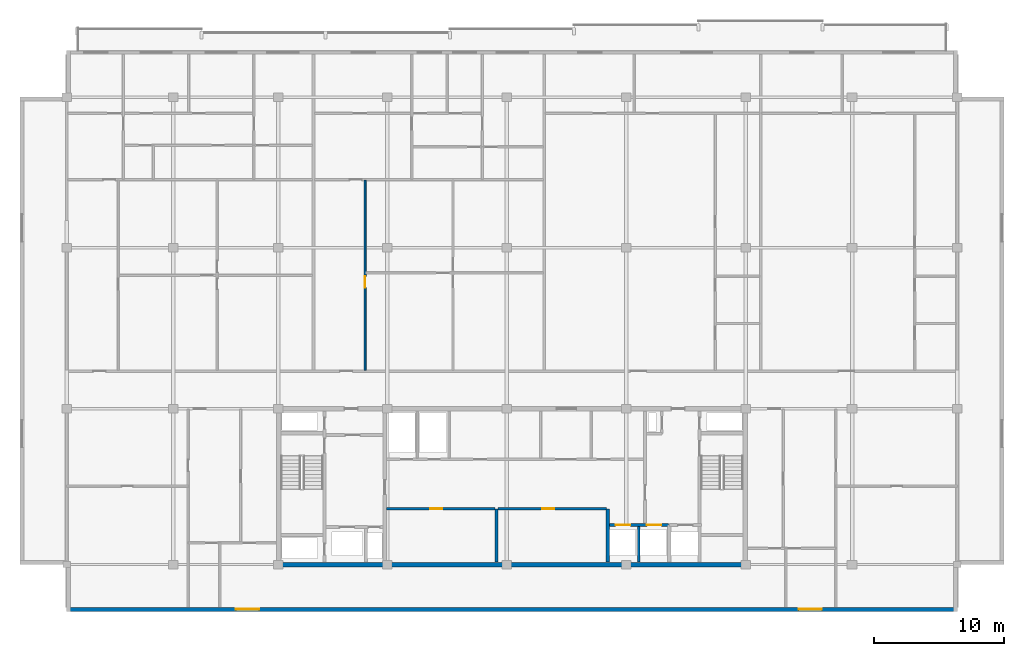
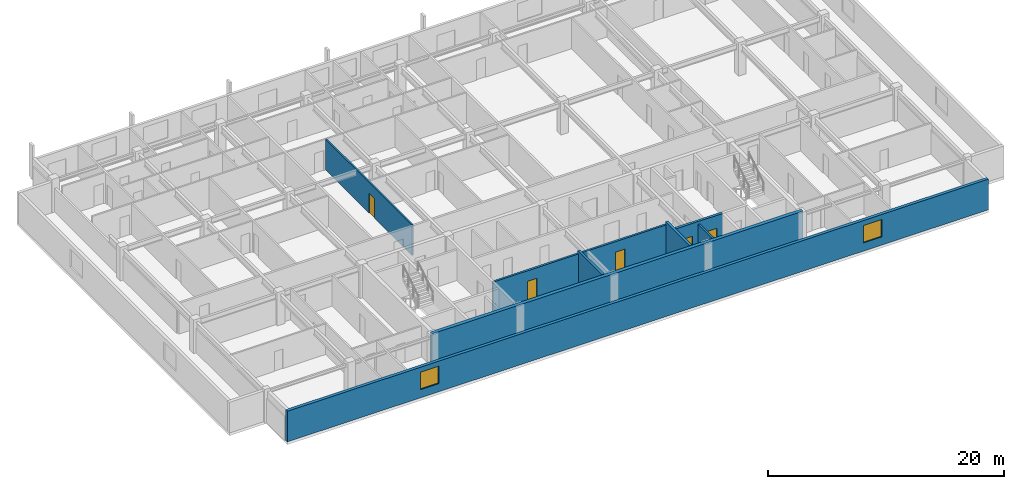
# One storey, part 4 of 11: 9 walls, 5 doors, 2 windows, 7 openings.
"""IFC4 building model written with IfcOpenShell, lengths in metres."""

from ifc_helpers import new_model, si_unit, direction, frame, frame_2d, origin, place, context, subcontext, project, spatial, rectangle, extrude, material, layer, layer_set, type_object, element, fill, save


model = new_model("IFC4")

# Units and contexts
model_context = context("Model", 3, precision=1e-05, world=origin(), true_north=direction((0.0, 1.0)))
body_context = subcontext(model_context, "Body", "Model", "MODEL_VIEW")
ifc_project = project(units=[si_unit("LENGTHUNIT", "METRE"), si_unit("AREAUNIT", "SQUARE_METRE"), si_unit("VOLUMEUNIT", "CUBIC_METRE"), si_unit("PLANEANGLEUNIT", "RADIAN"), si_unit("MASSUNIT", "GRAM", prefix="KILO")], contexts=[model_context])

# Site, building, storey
site_placement = place(None, origin())
site = spatial("IfcSite", under=ifc_project, at=site_placement, CompositionType="ELEMENT")
building_placement = place(site_placement, origin())
building = spatial("IfcBuilding", under=site, at=building_placement, Name="Korimba Cascade Residences", CompositionType="ELEMENT")
storey_placement = place(building_placement, frame((0.0, 0.0, 249.35009765625)))
storey = spatial("IfcBuildingStorey", under=building, at=storey_placement, Name="L72", CompositionType="ELEMENT", Elevation=249.35009765625)

# Wall, openings, windows
ifc_material_1 = material(Name="Precast concrete C40/50", Category="concrete")
ifc_layer_1 = layer(ifc_material_1, 0.300048828125)
ifc_layer_set_1 = layer_set([ifc_layer_1], Name="Precast concrete C40/50")
wall_type_1 = type_object("IfcWallType", Name="EW-STONE-300", PredefinedType="STANDARD", material=ifc_layer_set_1)
wall_1_placement = place(storey_placement, frame((59.800048828125, 51.75, 0.0), z_axis=(0.0, 0.0, 1.0), x_axis=(1.0, 0.0, 0.0)))
wall_1 = element("IfcWall", 1, at=wall_1_placement, inside=storey, type_object=wall_type_1, Name="L72 T1 Perimeter Stone Wall E00", PredefinedType="STANDARD", context=body_context, shape_type="SweptSolid", body=[
    extrude(rectangle(XDim=68.599853515625, YDim=0.300048828125, at=frame_2d((34.2998046875, 0.0))), origin(), (0.0, 0.0, 1.0), 3.169921875),
])
opening_1_placement = place(wall_1_placement, frame((13.02490234375, 0.0, 0.85009765625)))
opening_1 = element("IfcOpeningElement", 2, at=opening_1_placement, cuts=wall_1, Name="Opening W-02", PredefinedType="OPENING", context=body_context, shape_type="SweptSolid", body=[
    extrude(rectangle(XDim=1.800048828125, YDim=1.800048828125, at=frame_2d((0.89990234375, 0.89990234375))), frame((0.0, 0.16015625, 0.0), z_axis=(0.0, -1.0, 0.0), x_axis=(1.0, 0.0, 0.0)), (0.0, 0.0, 1.0), 0.320068359375),
])
opening_2_placement = place(wall_1_placement, frame((56.375, 0.0, 0.85009765625)))
opening_2 = element("IfcOpeningElement", 3, at=opening_2_placement, cuts=wall_1, Name="Opening W-02", PredefinedType="OPENING", context=body_context, shape_type="SweptSolid", body=[
    extrude(rectangle(XDim=1.800048828125, YDim=1.800048828125, at=frame_2d((0.89990234375, 0.89990234375))), frame((0.0, 0.16015625, 0.0), z_axis=(0.0, -1.0, 0.0), x_axis=(1.0, 0.0, 0.0)), (0.0, 0.0, 1.0), 0.320068359375),
])
ifc_material_2 = material(Name="Double-Glazed Aluminium Window", Category="aluminium")
window_type = type_object("IfcWindowType", Name="WIN-BED-1800", PartitioningType="SINGLE_PANEL", PredefinedType="WINDOW", material=ifc_material_2)
window_1_placement = place(opening_1_placement, origin())
window_1 = element("IfcWindow", 4, at=window_1_placement, inside=storey, type_object=window_type, Name="L72 T1 South Corner Bedroom Window 1", OverallHeight=1.800048828125, OverallWidth=1.800048828125, PartitioningType="SINGLE_PANEL", PredefinedType="WINDOW", context=body_context, shape_type="SweptSolid", body=[
    extrude(rectangle(XDim=1.800048828125, YDim=1.800048828125, at=frame_2d((0.89990234375, 0.89990234375))), frame((0.0, 0.030029296875, 0.0), z_axis=(0.0, -1.0, 0.0), x_axis=(1.0, 0.0, 0.0)), (0.0, 0.0, 1.0), 0.06005859375),
])
fill(opening_1, window_1)
window_2_placement = place(opening_2_placement, origin())
window_2 = element("IfcWindow", 5, at=window_2_placement, inside=storey, type_object=window_type, Name="L72 T1 South Corner Bedroom Window 2", OverallHeight=1.800048828125, OverallWidth=1.800048828125, PartitioningType="SINGLE_PANEL", PredefinedType="WINDOW", context=body_context, shape_type="SweptSolid", body=[
    extrude(rectangle(XDim=1.800048828125, YDim=1.800048828125, at=frame_2d((0.89990234375, 0.89990234375))), frame((0.0, 0.030029296875, 0.0), z_axis=(0.0, -1.0, 0.0), x_axis=(1.0, 0.0, 0.0)), (0.0, 0.0, 1.0), 0.06005859375),
])
fill(opening_2, window_2)

# Wall
ifc_material_3 = material(Name="Concrete C65/80", Category="concrete")
ifc_layer_2 = layer(ifc_material_3, 0.35009765625)
ifc_layer_set_2 = layer_set([ifc_layer_2], Name="Concrete C65/80")
wall_type_2 = type_object("IfcWallType", Name="WAL-CORE-350", PredefinedType="SHEAR", material=ifc_layer_set_2)
wall_2_placement = place(storey_placement, frame((75.949951171875, 55.199951171875, 0.0), z_axis=(0.0, 0.0, 1.0), x_axis=(1.0, 0.0, 0.0)))
element("IfcWall", 6, at=wall_2_placement, inside=storey, type_object=wall_type_2, Name="L72 Core Shear Wall CW-L72-T1-S", PredefinedType="SHEAR", context=body_context, shape_type="SweptSolid", body=[
    extrude(rectangle(XDim=36.300048828125, YDim=0.35009765625, at=frame_2d((18.14990234375, 0.0))), origin(), (0.0, 0.0, 1.0), 3.449951171875),
])

# Wall, opening, door
ifc_material_4 = material(Name="Insulated Acoustic Stud Partition", Category="gypsum")
ifc_layer_3 = layer(ifc_material_4, 0.14990234375)
ifc_layer_set_3 = layer_set([ifc_layer_3], Name="Insulated Acoustic Stud Partition")
wall_type_3 = type_object("IfcWallType", Name="WAL-PART-150", PredefinedType="PARTITIONING", material=ifc_layer_set_3)
wall_3_placement = place(storey_placement, frame((82.779052734375, 70.159912109375, 0.0), z_axis=(0.0, 0.0, 1.0), x_axis=(0.0, 1.0, 0.0)))
wall_3 = element("IfcWall", 7, at=wall_3_placement, inside=storey, type_object=wall_type_3, Name="L72 Partition Wall WAL-L72-T1-U02-FV", PredefinedType="PARTITIONING", context=body_context, shape_type="SweptSolid", body=[
    extrude(rectangle(XDim=14.650146484375, YDim=0.14990234375, at=frame_2d((7.3251953125, 0.0))), origin(), (0.0, 0.0, 1.0), 3.169921875),
])
opening_3_placement = place(wall_3_placement, frame((6.375, 0.0, 0.0)))
opening_3 = element("IfcOpeningElement", 8, at=opening_3_placement, cuts=wall_3, Name="Opening D-IN2", PredefinedType="OPENING", context=body_context, shape_type="SweptSolid", body=[
    extrude(rectangle(XDim=0.8798828125, YDim=2.06005859375, at=frame_2d((0.43994140625, 1.030029296875))), frame((0.0, 0.0849609375, 0.0), z_axis=(0.0, -1.0, 0.0), x_axis=(1.0, 0.0, 0.0)), (0.0, 0.0, 1.0), 0.169921875),
])
ifc_material_5 = material(Name="Acoustic Timber Bedroom Door", Category="wood")
door_type_1 = type_object("IfcDoorType", Name="DR-INT-880", OperationType="NOTDEFINED", PredefinedType="DOOR", material=ifc_material_5)
door_1_placement = place(opening_3_placement, origin())
door_1 = element("IfcDoor", 9, at=door_1_placement, inside=storey, type_object=door_type_1, Name="L72-T1-U02 Media Lounge Door", OperationType="SINGLE_SWING_LEFT", OverallHeight=2.06005859375, OverallWidth=0.8798828125, PredefinedType="DOOR", context=body_context, shape_type="SweptSolid", body=[
    extrude(rectangle(XDim=0.8798828125, YDim=2.06005859375, at=frame_2d((0.43994140625, 1.030029296875))), frame((0.0, 0.02490234375, 0.0), z_axis=(0.0, -1.0, 0.0), x_axis=(1.0, 0.0, 0.0)), (0.0, 0.0, 1.0), 0.050048828125),
])
fill(opening_3, door_1)

ifc_material_6 = material(Name="Concrete C40/50", Category="concrete")
ifc_layer_4 = layer(ifc_material_6, 0.199951171875)
ifc_layer_set_4 = layer_set([ifc_layer_4], Name="Concrete C40/50")
wall_type_4 = type_object("IfcWallType", Name="WAL-PART-200", PredefinedType="PARTITIONING", material=ifc_layer_set_4)
wall_4_placement = place(storey_placement, frame((84.419921875, 59.5, 0.0), z_axis=(0.0, 0.0, 1.0), x_axis=(1.0, 0.0, 0.0)))
wall_4 = element("IfcWall", 10, at=wall_4_placement, inside=storey, type_object=wall_type_4, Name="L72 Partition Wall CW-L72-T1-B1RN", PredefinedType="PARTITIONING", context=body_context, shape_type="SweptSolid", body=[
    extrude(rectangle(XDim=8.360107421875, YDim=0.199951171875, at=frame_2d((4.18017578125, 0.0))), origin(), (0.0, 0.0, 1.0), 3.169921875),
])
opening_4_placement = place(wall_4_placement, frame((3.39990234375, 0.0, 0.0)))
opening_4 = element("IfcOpeningElement", 11, at=opening_4_placement, cuts=wall_4, Name="Opening D-ST1", PredefinedType="OPENING", context=body_context, shape_type="SweptSolid", body=[
    extrude(rectangle(XDim=0.919921875, YDim=2.080078125, at=frame_2d((0.4599609375, 1.0400390625))), frame((0.0, 0.10986328125, 0.0), z_axis=(0.0, -1.0, 0.0), x_axis=(1.0, 0.0, 0.0)), (0.0, 0.0, 1.0), 0.219970703125),
])
ifc_material_7 = material(Name="Fire-Rated Core Store Door", Category="wood")
door_type_2 = type_object("IfcDoorType", Name="DR-FD60-920", OperationType="NOTDEFINED", PredefinedType="DOOR", material=ifc_material_7)
door_2_placement = place(opening_4_placement, origin())
door_2 = element("IfcDoor", 12, at=door_2_placement, inside=storey, type_object=door_type_2, Name="L72 Resident Storage Door", OperationType="SINGLE_SWING_LEFT", OverallHeight=2.080078125, OverallWidth=0.919921875, PredefinedType="DOOR", context=body_context, shape_type="SweptSolid", body=[
    extrude(rectangle(XDim=0.919921875, YDim=2.080078125, at=frame_2d((0.4599609375, 1.0400390625))), frame((0.0, 0.02490234375, 0.0), z_axis=(0.0, -1.0, 0.0), x_axis=(1.0, 0.0, 0.0)), (0.0, 0.0, 1.0), 0.050048828125),
])
fill(opening_4, door_2)

wall_5_placement = place(storey_placement, frame((93.02001953125, 59.5, 0.0), z_axis=(0.0, 0.0, 1.0), x_axis=(1.0, 0.0, 0.0)))
wall_5 = element("IfcWall", 13, at=wall_5_placement, inside=storey, type_object=wall_type_4, Name="L72 Partition Wall CW-L72-T1-B2RN", PredefinedType="PARTITIONING", context=body_context, shape_type="SweptSolid", body=[
    extrude(rectangle(XDim=8.35986328125, YDim=0.199951171875, at=frame_2d((4.179931640625, 0.0))), origin(), (0.0, 0.0, 1.0), 3.169921875),
])
opening_5_placement = place(wall_5_placement, frame((3.39990234375, 0.0, 0.0)))
opening_5 = element("IfcOpeningElement", 14, at=opening_5_placement, cuts=wall_5, Name="Opening D-ST1", PredefinedType="OPENING", context=body_context, shape_type="SweptSolid", body=[
    extrude(rectangle(XDim=0.919921875, YDim=2.080078125, at=frame_2d((0.4599609375, 1.0400390625))), frame((0.0, 0.10986328125, 0.0), z_axis=(0.0, -1.0, 0.0), x_axis=(1.0, 0.0, 0.0)), (0.0, 0.0, 1.0), 0.219970703125),
])
door_3_placement = place(opening_5_placement, origin())
door_3 = element("IfcDoor", 15, at=door_3_placement, inside=storey, type_object=door_type_2, Name="L72 Wine Cellar Store Door", OperationType="SINGLE_SWING_RIGHT", OverallHeight=2.080078125, OverallWidth=0.919921875, PredefinedType="DOOR", context=body_context, shape_type="SweptSolid", body=[
    extrude(rectangle(XDim=0.919921875, YDim=2.080078125, at=frame_2d((0.4599609375, 1.0400390625))), frame((0.0, 0.02490234375, 0.0), z_axis=(0.0, -1.0, 0.0), x_axis=(1.0, 0.0, 0.0)), (0.0, 0.0, 1.0), 0.050048828125),
])
fill(opening_5, door_3)

# Walls
wall_6_placement = place(storey_placement, frame((103.85009765625, 55.39990234375, 0.0), z_axis=(0.0, 0.0, 1.0), x_axis=(0.0, 1.0, 0.0)))
element("IfcWall", 16, at=wall_6_placement, inside=storey, type_object=wall_type_4, Name="L72 Partition Wall CW-L72-T1-B3D1", PredefinedType="PARTITIONING", context=body_context, shape_type="SweptSolid", body=[
    extrude(rectangle(XDim=2.72021484375, YDim=0.199951171875, at=frame_2d((1.360107421875, 0.0))), origin(), (0.0, 0.0, 1.0), 3.169921875),
])
ifc_material_8 = material(Name="Concrete C50/60", Category="concrete")
ifc_layer_5 = layer(ifc_material_8, 0.25)
ifc_layer_set_5 = layer_set([ifc_layer_5], Name="Concrete C50/60")
wall_type_5 = type_object("IfcWallType", Name="WAL-SHAFT-250", PredefinedType="SHEAR", material=ifc_layer_set_5)
for number, where, z_axis, x_axis, name in (
    (17, (92.89990234375, 55.39990234375, 0.0), (0.0, 0.0, 1.0), (0.0, 1.0, 0.0), "L72 Core Shear Wall CW-L72-T1-B12DIV"),
    (18, (101.47998046875, 55.39990234375, 0.0), (0.0, 0.0, 1.0), (0.0, 1.0, 0.0), "L72 Core Shear Wall CW-L72-T1-B23DIV"),
):
    element("IfcWall", number, at=place(storey_placement, frame(where, z_axis=z_axis, x_axis=x_axis)), inside=storey, type_object=wall_type_5, Name=name, PredefinedType="SHEAR", context=body_context, shape_type="SweptSolid", body=[
        extrude(rectangle(XDim=4.10009765625, YDim=0.25, at=frame_2d((2.050048828125, 0.0))), origin(), (0.0, 0.0, 1.0), 3.449951171875),
    ])

# Wall, openings, doors
wall_7_placement = place(storey_placement, frame((101.550048828125, 58.25, 0.0), z_axis=(0.0, 0.0, 1.0), x_axis=(1.0, 0.0, 0.0)))
wall_7 = element("IfcWall", 19, at=wall_7_placement, inside=storey, type_object=wall_type_5, Name="L72 Core Shear Wall CW-L72-T1-B3N", PredefinedType="SHEAR", context=body_context, shape_type="SweptSolid", body=[
    extrude(rectangle(XDim=4.599853515625, YDim=0.25, at=frame_2d((2.2998046875, 0.0))), origin(), (0.0, 0.0, 1.0), 3.449951171875),
])
opening_6_placement = place(wall_7_placement, frame((0.5400390625, 0.0, 0.0)))
opening_6 = element("IfcOpeningElement", 20, at=opening_6_placement, cuts=wall_7, Name="Opening LD-01", PredefinedType="OPENING", context=body_context, shape_type="SweptSolid", body=[
    extrude(rectangle(XDim=1.1201171875, YDim=2.1201171875, at=frame_2d((0.56005859375, 1.06005859375))), frame((0.0, 0.135009765625, 0.0), z_axis=(0.0, -1.0, 0.0), x_axis=(1.0, 0.0, 0.0)), (0.0, 0.0, 1.0), 0.27001953125),
])
opening_7_placement = place(wall_7_placement, frame((2.93994140625, 0.0, 0.0)))
opening_7 = element("IfcOpeningElement", 21, at=opening_7_placement, cuts=wall_7, Name="Opening LD-01", PredefinedType="OPENING", context=body_context, shape_type="SweptSolid", body=[
    extrude(rectangle(XDim=1.1201171875, YDim=2.1201171875, at=frame_2d((0.56005859375, 1.06005859375))), frame((0.0, 0.135009765625, 0.0), z_axis=(0.0, -1.0, 0.0), x_axis=(1.0, 0.0, 0.0)), (0.0, 0.0, 1.0), 0.27001953125),
])
ifc_material_9 = material(Name="Stainless Steel Lift Landing Sliding Door", Category="steel")
door_type_3 = type_object("IfcDoorType", Name="DR-LIFT-1100", OperationType="NOTDEFINED", PredefinedType="DOOR", material=ifc_material_9)
door_4_placement = place(opening_6_placement, origin())
door_4 = element("IfcDoor", 22, at=door_4_placement, inside=storey, type_object=door_type_3, Name="L72 Lift Landing Door PL-W7", OperationType="SLIDING_TO_LEFT", OverallHeight=2.1201171875, OverallWidth=1.1201171875, PredefinedType="DOOR", context=body_context, shape_type="SweptSolid", body=[
    extrude(rectangle(XDim=1.1201171875, YDim=2.1201171875, at=frame_2d((0.56005859375, 1.06005859375))), frame((0.0, 0.02490234375, 0.0), z_axis=(0.0, -1.0, 0.0), x_axis=(1.0, 0.0, 0.0)), (0.0, 0.0, 1.0), 0.050048828125),
])
fill(opening_6, door_4)
door_5_placement = place(opening_7_placement, origin())
door_5 = element("IfcDoor", 23, at=door_5_placement, inside=storey, type_object=door_type_3, Name="L72 Lift Landing Door PL-W8", OperationType="SLIDING_TO_LEFT", OverallHeight=2.1201171875, OverallWidth=1.1201171875, PredefinedType="DOOR", context=body_context, shape_type="SweptSolid", body=[
    extrude(rectangle(XDim=1.1201171875, YDim=2.1201171875, at=frame_2d((0.56005859375, 1.06005859375))), frame((0.0, 0.02490234375, 0.0), z_axis=(0.0, -1.0, 0.0), x_axis=(1.0, 0.0, 0.0)), (0.0, 0.0, 1.0), 0.050048828125),
])
fill(opening_7, door_5)

save(model, "model.ifc")
